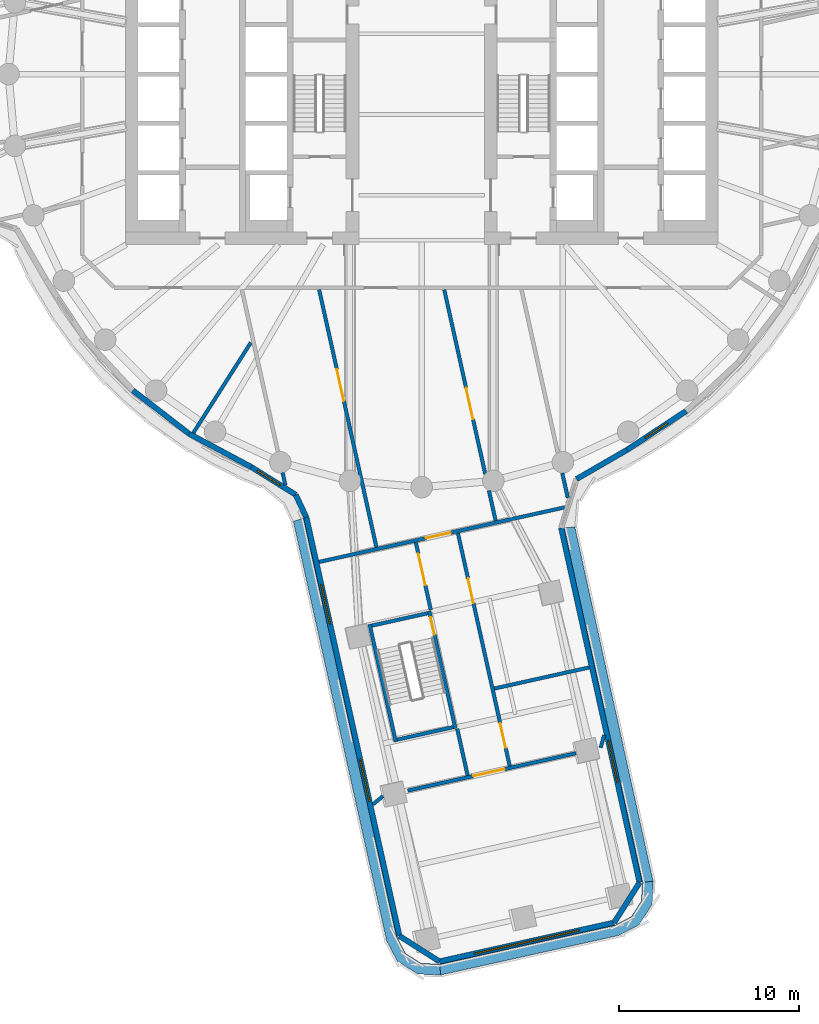
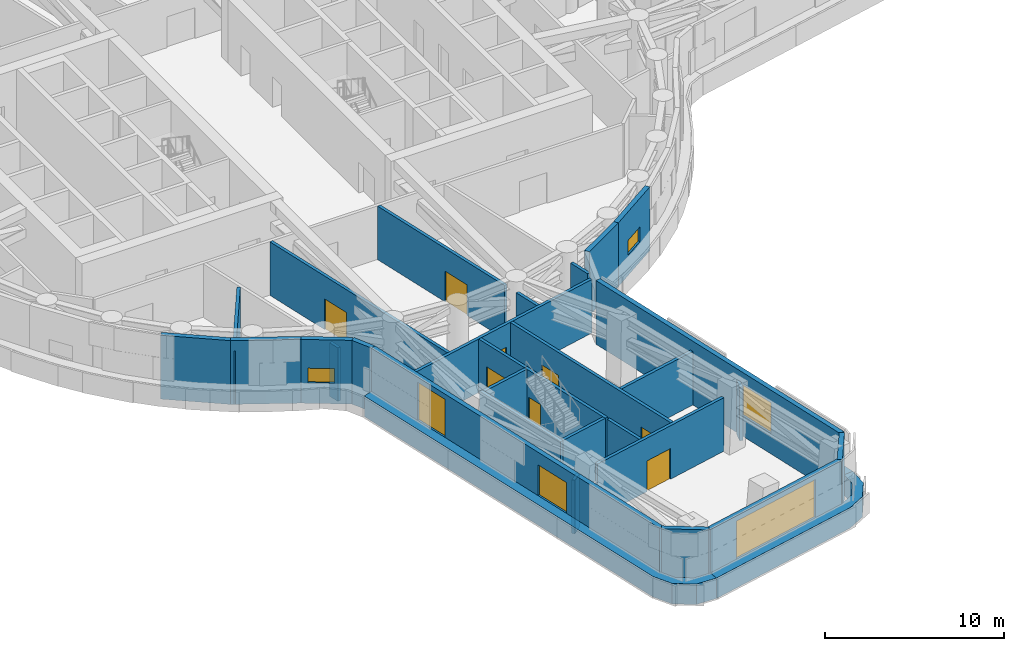
# One storey, part 7 of 22: 29 walls, 8 doors, 6 windows, 3 members, 14 openings.
"""IFC4 building model written with IfcOpenShell, lengths in metres."""

from ifc_helpers import new_model, si_unit, direction, frame, frame_2d, origin, place, context, subcontext, project, spatial, polyline, rectangle, outline, extrude, material, layer, layer_set, type_object, element, fill, aggregate, save


model = new_model("IFC4")

# Units and contexts
model_context = context("Model", 3, precision=1e-05, world=origin(), true_north=direction((0.0, 1.0)))
body_context = subcontext(model_context, "Body", "Model", "MODEL_VIEW")
ifc_project = project(units=[si_unit("LENGTHUNIT", "METRE"), si_unit("AREAUNIT", "SQUARE_METRE"), si_unit("VOLUMEUNIT", "CUBIC_METRE"), si_unit("PLANEANGLEUNIT", "RADIAN"), si_unit("MASSUNIT", "GRAM", prefix="KILO")], contexts=[model_context])

# Member
ifc_material_1 = material(Name="Aluminium and insulated spandrel panel", Category="aluminium")
member_type = type_object("IfcMemberType", Name="Floor-edge blade transom", PredefinedType="USERDEFINED", material=ifc_material_1)
site_placement = place(None, origin())
building_placement = place(site_placement, origin())
storey_placement = place(building_placement, frame((0.0, 0.0, 79.0)))
member_1_placement = place(storey_placement, origin())
member_1 = element("IfcMember", 1, at=member_1_placement, type_object=member_type, Name="CWT-L18-03", ObjectType="TRANSOM", PredefinedType="USERDEFINED", context=body_context, shape_type="SweptSolid", body=[
    extrude(outline(polyline([(-6.567626953125, -24.71337890625), (-1.38037109375, -48.038818359375), (-0.90185546875, -48.956787109375), (-0.0283203125, -49.512451171875), (1.006103515625, -49.556884765625), (1.05908203125, -50.15966796875), (-0.214599609375, -50.10498046875), (-1.359375, -49.376708984375), (-1.948974609375, -48.24609375), (-7.138671875, -24.9091796875), (-6.567626953125, -24.71337890625)])), origin(), (0.0, 0.0, 1.0), 1.39990234375),
])

member_2_placement = place(storey_placement, origin())
member_2 = element("IfcMember", 2, at=member_2_placement, type_object=member_type, Name="CWT-L18-04", ObjectType="TRANSOM", PredefinedType="USERDEFINED", context=body_context, shape_type="SweptSolid", body=[
    extrude(outline(polyline([(1.006103515625, -49.556884765625), (10.767578125, -47.385986328125), (11.685546875, -46.907470703125), (12.2412109375, -46.033935546875), (12.28564453125, -44.99951171875), (12.888671875, -44.94677734375), (12.833740234375, -46.22021484375), (12.10546875, -47.365234375), (10.974853515625, -47.95458984375), (1.05908203125, -50.15966796875), (1.006103515625, -49.556884765625)])), origin(), (0.0, 0.0, 1.0), 1.39990234375),
])

member_3_placement = place(storey_placement, origin())
member_3 = element("IfcMember", 3, at=member_3_placement, type_object=member_type, Name="CWT-L18-05", ObjectType="TRANSOM", PredefinedType="USERDEFINED", context=body_context, shape_type="SweptSolid", body=[
    extrude(outline(polyline([(12.28564453125, -44.99951171875), (7.92236328125, -25.2578125), (8.527587890625, -25.21630859375), (12.888671875, -44.94677734375), (12.28564453125, -44.99951171875)])), origin(), (0.0, 0.0, 1.0), 1.39990234375),
])

# Site, building, storey
site = spatial("IfcSite", under=ifc_project, at=site_placement, CompositionType="ELEMENT")
building = spatial("IfcBuilding", under=site, at=building_placement, Name="Tamarind Cross Interchange Tower", CompositionType="ELEMENT")
storey = spatial("IfcBuildingStorey", under=building, at=storey_placement, Name="L18", CompositionType="ELEMENT", Elevation=79.0)

# Wall
ifc_material_2 = material(Name="Gypsum board partition on steel studs", Category="steel")
ifc_layer_1 = layer(ifc_material_2, 0.199951171875)
ifc_layer_set_1 = layer_set([ifc_layer_1], Name="Gypsum board partition on steel studs")
wall_type_1 = type_object("IfcWallType", Name="Partition 200 mm EI 180", PredefinedType="PARTITIONING", material=ifc_layer_set_1)
wall_1_placement = place(storey_placement, frame((-7.7421875, -22.189697265625, 0.0), z_axis=(0.0, 0.0, 1.0), x_axis=(0.217367436886, -0.97608985108, 0.0)))
element("IfcWall", 4, at=wall_1_placement, inside=storey, type_object=wall_type_1, Name="Partition L18-005", PredefinedType="PARTITIONING", context=body_context, shape_type="SweptSolid", body=[
    extrude(rectangle(XDim=0.7099609375, YDim=0.199951171875, at=frame_2d((0.35498046875, 0.0))), origin(), (0.0, 0.0, 1.0), 3.659912109375),
])

# Wall, opening, door
wall_2_placement = place(storey_placement, frame((-5.706298828125, -12.00244140625, 0.0), z_axis=(0.0, 0.0, 1.0), x_axis=(0.217090507768, -0.97615147976, 0.0)))
wall_2 = element("IfcWall", 5, at=wall_2_placement, inside=storey, type_object=wall_type_1, Name="Partition L18-009", PredefinedType="PARTITIONING", context=body_context, shape_type="SweptSolid", body=[
    extrude(rectangle(XDim=14.697509765625, YDim=0.199951171875, at=frame_2d((7.3486328125, 0.0))), origin(), (0.0, 0.0, 1.0), 3.659912109375),
])
opening_1_placement = place(wall_2_placement, frame((4.544921875, 0.0, 0.0)))
opening_1 = element("IfcOpeningElement", 6, at=opening_1_placement, cuts=wall_2, Name="Opening D03", PredefinedType="OPENING", context=body_context, shape_type="SweptSolid", body=[
    extrude(rectangle(XDim=1.800048828125, YDim=2.10009765625, at=frame_2d((0.89990234375, 1.050048828125))), frame((0.0, 0.10986328125, 0.0), z_axis=(0.0, -1.0, 0.0), x_axis=(1.0, 0.0, 0.0)), (0.0, 0.0, 1.0), 0.219970703125),
])
ifc_material_3 = material(Name="Fire-resisting door set")
door_type_1 = type_object("IfcDoorType", Name="Interior door 1800 x 2100 FD120S", OperationType="DOUBLE_DOOR_SINGLE_SWING", PredefinedType="DOOR", material=ifc_material_3)
door_1_placement = place(opening_1_placement, frame((1.800048828125, 0.0, 0.0), z_axis=(0.0, 0.0, 1.0), x_axis=(-1.0, 0.0, 0.0)))
door_1 = element("IfcDoor", 7, at=door_1_placement, inside=storey, type_object=door_type_1, Name="Door D03", OperationType="DOUBLE_DOOR_SINGLE_SWING", OverallHeight=2.10009765625, OverallWidth=1.800048828125, PredefinedType="DOOR", context=body_context, shape_type="SweptSolid", body=[
    extrude(rectangle(XDim=1.800048828125, YDim=2.10009765625, at=frame_2d((0.89990234375, 1.050048828125))), frame((0.0, 0.02490234375, 0.0), z_axis=(0.0, -1.0, 0.0), x_axis=(1.0, 0.0, 0.0)), (0.0, 0.0, 1.0), 0.050048828125),
])
fill(opening_1, door_1)

wall_3_placement = place(storey_placement, frame((-0.32421875, -26.067626953125, 0.0), z_axis=(0.0, 0.0, 1.0), x_axis=(0.216997443313, -0.976172172107, 0.0)))
wall_3 = element("IfcWall", 8, at=wall_3_placement, inside=storey, type_object=wall_type_1, Name="Partition L18-015", PredefinedType="PARTITIONING", context=body_context, shape_type="SweptSolid", body=[
    extrude(rectangle(XDim=3.859130859375, YDim=0.199951171875, at=frame_2d((1.9296875, 0.0))), origin(), (0.0, 0.0, 1.0), 3.659912109375),
])
opening_2_placement = place(wall_3_placement, frame((0.64990234375, 0.0, 0.0)))
opening_2 = element("IfcOpeningElement", 9, at=opening_2_placement, cuts=wall_3, Name="Opening D11", PredefinedType="OPENING", context=body_context, shape_type="SweptSolid", body=[
    extrude(rectangle(XDim=1.800048828125, YDim=2.10009765625, at=frame_2d((0.89990234375, 1.050048828125))), frame((0.0, 0.10986328125, 0.0), z_axis=(0.0, -1.0, 0.0), x_axis=(1.0, 0.0, 0.0)), (0.0, 0.0, 1.0), 0.219970703125),
])
door_2_placement = place(opening_2_placement, frame((1.800048828125, 0.0, 0.0), z_axis=(0.0, 0.0, 1.0), x_axis=(-1.0, 0.0, 0.0)))
door_2 = element("IfcDoor", 10, at=door_2_placement, inside=storey, type_object=door_type_1, Name="Door D11", OperationType="DOUBLE_DOOR_SINGLE_SWING", OverallHeight=2.10009765625, OverallWidth=1.800048828125, PredefinedType="DOOR", context=body_context, shape_type="SweptSolid", body=[
    extrude(rectangle(XDim=1.800048828125, YDim=2.10009765625, at=frame_2d((0.89990234375, 1.050048828125))), frame((0.0, 0.02490234375, 0.0), z_axis=(0.0, -1.0, 0.0), x_axis=(1.0, 0.0, 0.0)), (0.0, 0.0, 1.0), 0.050048828125),
])
fill(opening_2, door_2)

# Wall
wall_4_placement = place(storey_placement, frame((1.984619140625, -36.45361328125, 0.0), z_axis=(0.0, 0.0, 1.0), x_axis=(0.216949891925, -0.976182741291, 0.0)))
element("IfcWall", 11, at=wall_4_placement, inside=storey, type_object=wall_type_1, Name="Partition L18-016", PredefinedType="PARTITIONING", context=body_context, shape_type="SweptSolid", body=[
    extrude(rectangle(XDim=2.660400390625, YDim=0.199951171875, at=frame_2d((1.330078125, 0.0))), origin(), (0.0, 0.0, 1.0), 3.659912109375),
])

# Wall, opening, door
wall_5_placement = place(storey_placement, frame((1.259765625, -12.00244140625, 0.0), z_axis=(0.0, 0.0, 1.0), x_axis=(0.217102515266, -0.976148809283, 0.0)))
wall_5 = element("IfcWall", 12, at=wall_5_placement, inside=storey, type_object=wall_type_1, Name="Partition L18-017", PredefinedType="PARTITIONING", context=body_context, shape_type="SweptSolid", body=[
    extrude(rectangle(XDim=10.5166015625, YDim=0.199951171875, at=frame_2d((5.25830078125, 0.0))), origin(), (0.0, 0.0, 1.0), 3.659912109375),
])
opening_3_placement = place(wall_5_placement, frame((5.594970703125, 0.0, 0.0)))
opening_3 = element("IfcOpeningElement", 13, at=opening_3_placement, cuts=wall_5, Name="Opening D12", PredefinedType="OPENING", context=body_context, shape_type="SweptSolid", body=[
    extrude(rectangle(XDim=1.800048828125, YDim=2.10009765625, at=frame_2d((0.89990234375, 1.050048828125))), frame((0.0, 0.10986328125, 0.0), z_axis=(0.0, -1.0, 0.0), x_axis=(1.0, 0.0, 0.0)), (0.0, 0.0, 1.0), 0.219970703125),
])
door_3_placement = place(opening_3_placement, origin())
door_3 = element("IfcDoor", 14, at=door_3_placement, inside=storey, type_object=door_type_1, Name="Door D12", OperationType="DOUBLE_DOOR_SINGLE_SWING", OverallHeight=2.10009765625, OverallWidth=1.800048828125, PredefinedType="DOOR", context=body_context, shape_type="SweptSolid", body=[
    extrude(rectangle(XDim=1.800048828125, YDim=2.10009765625, at=frame_2d((0.89990234375, 1.050048828125))), frame((0.0, 0.02490234375, 0.0), z_axis=(0.0, -1.0, 0.0), x_axis=(1.0, 0.0, 0.0)), (0.0, 0.0, 1.0), 0.050048828125),
])
fill(opening_3, door_3)

# Wall
wall_6_placement = place(storey_placement, frame((3.7490234375, -23.195068359375, 0.0), z_axis=(0.0, 0.0, 1.0), x_axis=(0.217125919423, -0.976143603736, 0.0)))
element("IfcWall", 15, at=wall_6_placement, inside=storey, type_object=wall_type_1, Name="Partition L18-018", PredefinedType="PARTITIONING", context=body_context, shape_type="SweptSolid", body=[
    extrude(rectangle(XDim=1.71923828125, YDim=0.199951171875, at=frame_2d((0.859619140625, 0.0))), origin(), (0.0, 0.0, 1.0), 3.659912109375),
])

# Wall, openings, doors
wall_7_placement = place(storey_placement, frame((2.018798828125, -25.551513671875, 0.0), z_axis=(0.0, 0.0, 1.0), x_axis=(0.217111280245, -0.976146859848, 0.0)))
wall_7 = element("IfcWall", 16, at=wall_7_placement, inside=storey, type_object=wall_type_1, Name="Partition L18-019", PredefinedType="PARTITIONING", context=body_context, shape_type="SweptSolid", body=[
    extrude(rectangle(XDim=13.294921875, YDim=0.199951171875, at=frame_2d((6.6474609375, 0.0))), origin(), (0.0, 0.0, 1.0), 3.659912109375),
])
opening_4_placement = place(wall_7_placement, frame((2.594970703125, 0.0, 0.0)))
opening_4 = element("IfcOpeningElement", 17, at=opening_4_placement, cuts=wall_7, Name="Opening D13", PredefinedType="OPENING", context=body_context, shape_type="SweptSolid", body=[
    extrude(rectangle(XDim=1.39990234375, YDim=2.10009765625, at=frame_2d((0.699951171875, 1.050048828125))), frame((0.0, 0.10986328125, 0.0), z_axis=(0.0, -1.0, 0.0), x_axis=(1.0, 0.0, 0.0)), (0.0, 0.0, 1.0), 0.219970703125),
])
opening_5_placement = place(wall_7_placement, frame((10.8447265625, 0.0, 0.0)))
opening_5 = element("IfcOpeningElement", 18, at=opening_5_placement, cuts=wall_7, Name="Opening D14", PredefinedType="OPENING", context=body_context, shape_type="SweptSolid", body=[
    extrude(rectangle(XDim=1.39990234375, YDim=2.10009765625, at=frame_2d((0.699951171875, 1.050048828125))), frame((0.0, 0.10986328125, 0.0), z_axis=(0.0, -1.0, 0.0), x_axis=(1.0, 0.0, 0.0)), (0.0, 0.0, 1.0), 0.219970703125),
])
door_type_2 = type_object("IfcDoorType", Name="Interior door 1400 x 2100 FD120S", OperationType="DOUBLE_DOOR_SINGLE_SWING", PredefinedType="DOOR", material=ifc_material_3)
door_4_placement = place(opening_4_placement, origin())
door_4 = element("IfcDoor", 19, at=door_4_placement, inside=storey, type_object=door_type_2, Name="Door D13", OperationType="DOUBLE_DOOR_SINGLE_SWING", OverallHeight=2.10009765625, OverallWidth=1.39990234375, PredefinedType="DOOR", context=body_context, shape_type="SweptSolid", body=[
    extrude(rectangle(XDim=1.39990234375, YDim=2.10009765625, at=frame_2d((0.699951171875, 1.050048828125))), frame((0.0, 0.02490234375, 0.0), z_axis=(0.0, -1.0, 0.0), x_axis=(1.0, 0.0, 0.0)), (0.0, 0.0, 1.0), 0.050048828125),
])
fill(opening_4, door_4)
door_5_placement = place(opening_5_placement, origin())
door_5 = element("IfcDoor", 20, at=door_5_placement, inside=storey, type_object=door_type_2, Name="Door D14", OperationType="DOUBLE_DOOR_SINGLE_SWING", OverallHeight=2.10009765625, OverallWidth=1.39990234375, PredefinedType="DOOR", context=body_context, shape_type="SweptSolid", body=[
    extrude(rectangle(XDim=1.39990234375, YDim=2.10009765625, at=frame_2d((0.699951171875, 1.050048828125))), frame((0.0, 0.02490234375, 0.0), z_axis=(0.0, -1.0, 0.0), x_axis=(1.0, 0.0, 0.0)), (0.0, 0.0, 1.0), 0.050048828125),
])
fill(opening_5, door_5)

# Wall
wall_8_placement = place(storey_placement, frame((7.833251953125, -22.214111328125, 0.0), z_axis=(0.0, 0.0, 1.0), x_axis=(0.21709529859, -0.976150414296, 0.0)))
element("IfcWall", 21, at=wall_8_placement, inside=storey, type_object=wall_type_1, Name="Partition L18-024", PredefinedType="PARTITIONING", context=body_context, shape_type="SweptSolid", body=[
    extrude(rectangle(XDim=1.411376953125, YDim=0.199951171875, at=frame_2d((0.70556640625, 0.0))), origin(), (0.0, 0.0, 1.0), 3.659912109375),
])

# Wall, opening, door
wall_9_placement = place(storey_placement, frame((-5.71435546875, -27.163818359375, 0.0), z_axis=(0.0, 0.0, 1.0), x_axis=(0.976153455293, 0.217081624554, 0.0)))
wall_9 = element("IfcWall", 22, at=wall_9_placement, inside=storey, type_object=wall_type_1, Name="Partition L18-052", PredefinedType="PARTITIONING", context=body_context, shape_type="SweptSolid", body=[
    extrude(rectangle(XDim=14.022216796875, YDim=0.199951171875, at=frame_2d((7.01123046875, 0.0))), origin(), (0.0, 0.0, 1.0), 3.659912109375),
])
opening_6_placement = place(wall_9_placement, frame((6.099365234375, 0.0, 0.0)))
opening_6 = element("IfcOpeningElement", 23, at=opening_6_placement, cuts=wall_9, Name="Opening D31", PredefinedType="OPENING", context=body_context, shape_type="SweptSolid", body=[
    extrude(rectangle(XDim=1.39990234375, YDim=2.10009765625, at=frame_2d((0.699951171875, 1.050048828125))), frame((0.0, 0.10986328125, 0.0), z_axis=(0.0, -1.0, 0.0), x_axis=(1.0, 0.0, 0.0)), (0.0, 0.0, 1.0), 0.219970703125),
])
door_6_placement = place(opening_6_placement, origin())
door_6 = element("IfcDoor", 24, at=door_6_placement, inside=storey, type_object=door_type_2, Name="Door D31", OperationType="DOUBLE_DOOR_SINGLE_SWING", OverallHeight=2.10009765625, OverallWidth=1.39990234375, PredefinedType="DOOR", context=body_context, shape_type="SweptSolid", body=[
    extrude(rectangle(XDim=1.39990234375, YDim=2.10009765625, at=frame_2d((0.699951171875, 1.050048828125))), frame((0.0, 0.02490234375, 0.0), z_axis=(0.0, -1.0, 0.0), x_axis=(1.0, 0.0, 0.0)), (0.0, 0.0, 1.0), 0.050048828125),
])
fill(opening_6, door_6)

# Wall
wall_10_placement = place(storey_placement, frame((-2.712890625, -40.66015625, 0.0), z_axis=(0.0, 0.0, 1.0), x_axis=(0.774735088661, 0.632285965681, 0.0)))
element("IfcWall", 25, at=wall_10_placement, inside=storey, type_object=wall_type_1, Name="Partition L18-055", PredefinedType="PARTITIONING", context=body_context, shape_type="SweptSolid", body=[
    extrude(rectangle(XDim=0.726806640625, YDim=0.199951171875, at=frame_2d((0.36328125, 0.0))), origin(), (0.0, 0.0, 1.0), 3.659912109375),
])

# Wall, opening, door
wall_11_placement = place(storey_placement, frame((-0.77197265625, -39.894287109375, 0.0), z_axis=(0.0, 0.0, 1.0), x_axis=(0.976157105898, 0.217065208185, 0.0)))
wall_11 = element("IfcWall", 26, at=wall_11_placement, inside=storey, type_object=wall_type_1, Name="Partition L18-056", PredefinedType="PARTITIONING", context=body_context, shape_type="SweptSolid", body=[
    extrude(rectangle(XDim=9.591796875, YDim=0.199951171875, at=frame_2d((4.7958984375, 0.0))), origin(), (0.0, 0.0, 1.0), 3.659912109375),
])
opening_7_placement = place(wall_11_placement, frame((3.738037109375, 0.0, 0.0)))
opening_7 = element("IfcOpeningElement", 27, at=opening_7_placement, cuts=wall_11, Name="Opening D32", PredefinedType="OPENING", context=body_context, shape_type="SweptSolid", body=[
    extrude(rectangle(XDim=1.800048828125, YDim=2.10009765625, at=frame_2d((0.89990234375, 1.050048828125))), frame((0.0, 0.10986328125, 0.0), z_axis=(0.0, -1.0, 0.0), x_axis=(1.0, 0.0, 0.0)), (0.0, 0.0, 1.0), 0.219970703125),
])
door_7_placement = place(opening_7_placement, frame((1.800048828125, 0.0, 0.0), z_axis=(0.0, 0.0, 1.0), x_axis=(-1.0, 0.0, 0.0)))
door_7 = element("IfcDoor", 28, at=door_7_placement, inside=storey, type_object=door_type_1, Name="Door D32", OperationType="DOUBLE_DOOR_SINGLE_SWING", OverallHeight=2.10009765625, OverallWidth=1.800048828125, PredefinedType="DOOR", context=body_context, shape_type="SweptSolid", body=[
    extrude(rectangle(XDim=1.800048828125, YDim=2.10009765625, at=frame_2d((0.89990234375, 1.050048828125))), frame((0.0, 0.02490234375, 0.0), z_axis=(0.0, -1.0, 0.0), x_axis=(1.0, 0.0, 0.0)), (0.0, 0.0, 1.0), 0.050048828125),
])
fill(opening_7, door_7)

# Walls
wall_12_placement = place(storey_placement, frame((9.968994140625, -37.505859375, 0.0), z_axis=(0.0, 0.0, 1.0), x_axis=(0.270338106044, 0.96276544829, 0.0)))
element("IfcWall", 29, at=wall_12_placement, inside=storey, type_object=wall_type_1, Name="Partition L18-057", PredefinedType="PARTITIONING", context=body_context, shape_type="SweptSolid", body=[
    extrude(rectangle(XDim=0.728759765625, YDim=0.199951171875, at=frame_2d((0.3642578125, 0.0))), origin(), (0.0, 0.0, 1.0), 3.659912109375),
])
wall_13_placement = place(storey_placement, frame((4.047607421875, -34.21240234375, 0.0), z_axis=(0.0, 0.0, 1.0), x_axis=(0.976161593011, 0.217045028348, 0.0)))
element("IfcWall", 30, at=wall_13_placement, inside=storey, type_object=wall_type_1, Name="Partition L18-059", PredefinedType="PARTITIONING", context=body_context, shape_type="SweptSolid", body=[
    extrude(rectangle(XDim=5.4150390625, YDim=0.199951171875, at=frame_2d((2.70751953125, 0.0))), origin(), (0.0, 0.0, 1.0), 3.659912109375),
])
wall_14_placement = place(storey_placement, frame((-12.87158203125, -20.2333984375, 0.0), z_axis=(0.0, 0.0, 1.0), x_axis=(0.536749284021, 0.843741788762, 0.0)))
element("IfcWall", 31, at=wall_14_placement, inside=storey, type_object=wall_type_1, Name="Partition L18-071", PredefinedType="PARTITIONING", context=body_context, shape_type="SweptSolid", body=[
    extrude(rectangle(XDim=6.2587890625, YDim=0.199951171875, at=frame_2d((3.12939453125, 0.0))), origin(), (0.0, 0.0, 1.0), 3.659912109375),
])
ifc_material_4 = material(Name="Precast concrete C40", Category="concrete")
ifc_layer_2 = layer(ifc_material_4, 0.300048828125)
ifc_layer_set_2 = layer_set([ifc_layer_2], Name="Precast concrete C40")
wall_type_2 = type_object("IfcWallType", Name="Plant louvre wall", PredefinedType="SOLIDWALL", material=ifc_layer_set_2)
wall_15_placement = place(storey_placement, frame((-16.07470703125, -17.61328125, 0.0), z_axis=(0.0, 0.0, 1.0), x_axis=(0.79179596038, -0.610785688376, 0.0)))
element("IfcWall", 32, at=wall_15_placement, inside=storey, type_object=wall_type_2, Name="EXW-L18-02-04", PredefinedType="SOLIDWALL", context=body_context, shape_type="SweptSolid", body=[
    extrude(rectangle(XDim=3.9384765625, YDim=0.300048828125, at=frame_2d((1.96923828125, 0.0))), origin(), (0.0, 0.0, 1.0), 4.360107421875),
])
wall_16_placement = place(storey_placement, frame((-12.956298828125, -20.018798828125, 0.0), z_axis=(0.0, 0.0, 1.0), x_axis=(0.881521417359, -0.472144036007, 0.0)))
element("IfcWall", 33, at=wall_16_placement, inside=storey, type_object=wall_type_2, Name="EXW-L18-02-05", PredefinedType="SOLIDWALL", context=body_context, shape_type="SweptSolid", body=[
    extrude(rectangle(XDim=3.940185546875, YDim=0.300048828125, at=frame_2d((1.97021484375, 0.0))), origin(), (0.0, 0.0, 1.0), 4.360107421875),
])

# Wall, opening, window
wall_17_placement = place(storey_placement, frame((-9.48291015625, -21.879150390625, 0.0), z_axis=(0.0, 0.0, 1.0), x_axis=(0.848648189987, -0.528957701174, 0.0)))
wall_17 = element("IfcWall", 34, at=wall_17_placement, inside=storey, type_object=wall_type_2, Name="EXW-L18-02-06", PredefinedType="SOLIDWALL", context=body_context, shape_type="SweptSolid", body=[
    extrude(rectangle(XDim=2.90966796875, YDim=0.300048828125, at=frame_2d((1.454833984375, 0.0))), origin(), (0.0, 0.0, 1.0), 4.360107421875),
])
opening_8_placement = place(wall_17_placement, frame((0.389892578125, 0.0, 1.39990234375)))
opening_8 = element("IfcOpeningElement", 35, at=opening_8_placement, cuts=wall_17, Name="Opening W5", PredefinedType="OPENING", context=body_context, shape_type="SweptSolid", body=[
    extrude(rectangle(XDim=1.5, YDim=1.0, at=frame_2d((0.75, 0.5))), frame((0.0, 0.159912109375, 0.0), z_axis=(0.0, -1.0, 0.0), x_axis=(1.0, 0.0, 0.0)), (0.0, 0.0, 1.0), 0.320068359375),
])
ifc_material_5 = material(Name="Aluminium and fire-resisting glass", Category="aluminium")
window_type_1 = type_object("IfcWindowType", Name="Refuge opening window", PartitioningType="DOUBLE_PANEL_VERTICAL", PredefinedType="WINDOW", material=ifc_material_5)
window_1_placement = place(opening_8_placement, origin())
window_1 = element("IfcWindow", 36, at=window_1_placement, inside=storey, type_object=window_type_1, Name="RSW-L18-02-12", OverallHeight=1.0, OverallWidth=1.5, PartitioningType="SINGLE_PANEL", PredefinedType="WINDOW", context=body_context, shape_type="SweptSolid", body=[
    extrude(rectangle(XDim=1.5, YDim=1.0, at=frame_2d((0.75, 0.5))), frame((0.0, 0.030029296875, 0.0), z_axis=(0.0, -1.0, 0.0), x_axis=(1.0, 0.0, 0.0)), (0.0, 0.0, 1.0), 0.06005859375),
])
fill(opening_8, window_1)

# Wall
wall_18_placement = place(storey_placement, frame((-7.013671875, -23.418212890625, 0.0), z_axis=(0.0, 0.0, 1.0), x_axis=(0.427195365071, -0.904159344398, 0.0)))
element("IfcWall", 37, at=wall_18_placement, inside=storey, type_object=wall_type_2, Name="EXW-L18-02-07", PredefinedType="SOLIDWALL", context=body_context, shape_type="SweptSolid", body=[
    extrude(rectangle(XDim=1.37841796875, YDim=0.300048828125, at=frame_2d((0.689208984375, 0.0))), origin(), (0.0, 0.0, 1.0), 4.360107421875),
])

# Wall, openings, windows
wall_19_placement = place(storey_placement, frame((-6.4248046875, -24.66455078125, 0.0), z_axis=(0.0, 0.0, 1.0), x_axis=(0.217081929523, -0.976153387473, 0.0)))
wall_19 = element("IfcWall", 38, at=wall_19_placement, inside=storey, type_object=wall_type_2, Name="EXW-L18-03-00", PredefinedType="SOLIDWALL", context=body_context, shape_type="SweptSolid", body=[
    extrude(rectangle(XDim=23.89208984375, YDim=0.300048828125, at=frame_2d((11.946044921875, 0.0))), origin(), (0.0, 0.0, 1.0), 4.360107421875),
])
opening_9_placement = place(wall_19_placement, frame((3.843994140625, 0.0, 1.39990234375)))
opening_9 = element("IfcOpeningElement", 39, at=opening_9_placement, cuts=wall_19, Name="Opening W2", PredefinedType="OPENING", context=body_context, shape_type="SweptSolid", body=[
    extrude(rectangle(XDim=2.261474609375, YDim=2.60009765625, at=frame_2d((1.130859375, 1.300048828125))), frame((0.0, 0.159912109375, 0.0), z_axis=(0.0, -1.0, 0.0), x_axis=(1.0, 0.0, 0.0)), (0.0, 0.0, 1.0), 0.320068359375),
])
opening_10_placement = place(wall_19_placement, frame((13.800048828125, 0.0, 1.39990234375)))
opening_10 = element("IfcOpeningElement", 40, at=opening_10_placement, cuts=wall_19, Name="Opening W3", PredefinedType="OPENING", context=body_context, shape_type="SweptSolid", body=[
    extrude(rectangle(XDim=2.39990234375, YDim=2.10009765625, at=frame_2d((1.199951171875, 1.050048828125))), frame((0.0, 0.159912109375, 0.0), z_axis=(0.0, -1.0, 0.0), x_axis=(1.0, 0.0, 0.0)), (0.0, 0.0, 1.0), 0.320068359375),
])
ifc_material_6 = material(Name="Aluminium louvre", Category="aluminium")
window_type_2 = type_object("IfcWindowType", Name="Plant louvre bank", PartitioningType="SINGLE_PANEL", PredefinedType="WINDOW", material=ifc_material_6)
window_2_placement = place(opening_9_placement, origin())
window_2 = element("IfcWindow", 41, at=window_2_placement, inside=storey, type_object=window_type_2, Name="WIN-L18-03-00", OverallHeight=2.60009765625, OverallWidth=2.261474609375, PartitioningType="SINGLE_PANEL", PredefinedType="WINDOW", context=body_context, shape_type="SweptSolid", body=[
    extrude(rectangle(XDim=2.261474609375, YDim=2.60009765625, at=frame_2d((1.130859375, 1.300048828125))), frame((0.0, 0.030029296875, 0.0), z_axis=(0.0, -1.0, 0.0), x_axis=(1.0, 0.0, 0.0)), (0.0, 0.0, 1.0), 0.06005859375),
])
fill(opening_9, window_2)
window_type_3 = type_object("IfcWindowType", Name="Refuge rescue window", PartitioningType="DOUBLE_PANEL_VERTICAL", PredefinedType="WINDOW", material=ifc_material_5)
window_3_placement = place(opening_10_placement, origin())
window_3 = element("IfcWindow", 42, at=window_3_placement, inside=storey, type_object=window_type_3, Name="RSW-L18-03-12", OverallHeight=2.10009765625, OverallWidth=2.39990234375, PartitioningType="SINGLE_PANEL", PredefinedType="WINDOW", context=body_context, shape_type="SweptSolid", body=[
    extrude(rectangle(XDim=2.39990234375, YDim=2.10009765625, at=frame_2d((1.199951171875, 1.050048828125))), frame((0.0, 0.030029296875, 0.0), z_axis=(0.0, -1.0, 0.0), x_axis=(1.0, 0.0, 0.0)), (0.0, 0.0, 1.0), 0.06005859375),
])
fill(opening_10, window_3)

aggregate(wall_19, [member_1])

# Wall
wall_20_placement = place(storey_placement, frame((-1.23828125, -47.98681640625, 0.0), z_axis=(0.0, 0.0, 1.0), x_axis=(0.843707106329, -0.536803799102, 0.0)))
element("IfcWall", 43, at=wall_20_placement, inside=storey, type_object=wall_type_2, Name="EXW-L18-03-01", PredefinedType="SOLIDWALL", context=body_context, shape_type="SweptSolid", body=[
    extrude(rectangle(XDim=2.644287109375, YDim=0.300048828125, at=frame_2d((1.322265625, 0.0))), origin(), (0.0, 0.0, 1.0), 4.360107421875),
])

# Wall, opening, window
wall_21_placement = place(storey_placement, frame((0.99267578125, -49.40625, 0.0), z_axis=(0.0, 0.0, 1.0), x_axis=(0.97615186769, 0.217088763424, 0.0)))
wall_21 = element("IfcWall", 44, at=wall_21_placement, inside=storey, type_object=wall_type_2, Name="EXW-L18-04-00", PredefinedType="SOLIDWALL", context=body_context, shape_type="SweptSolid", body=[
    extrude(rectangle(XDim=9.960693359375, YDim=0.300048828125, at=frame_2d((4.98046875, 0.0))), origin(), (0.0, 0.0, 1.0), 4.360107421875),
])
opening_11_placement = place(wall_21_placement, frame((1.980224609375, 0.0, 1.39990234375)))
opening_11 = element("IfcOpeningElement", 45, at=opening_11_placement, cuts=wall_21, Name="Opening W2", PredefinedType="OPENING", context=body_context, shape_type="SweptSolid", body=[
    extrude(rectangle(XDim=6.0, YDim=2.60009765625, at=frame_2d((3.0, 1.300048828125))), frame((0.0, 0.159912109375, 0.0), z_axis=(0.0, -1.0, 0.0), x_axis=(1.0, 0.0, 0.0)), (0.0, 0.0, 1.0), 0.320068359375),
])
window_4_placement = place(opening_11_placement, origin())
window_4 = element("IfcWindow", 46, at=window_4_placement, inside=storey, type_object=window_type_2, Name="WIN-L18-04-00", OverallHeight=2.60009765625, OverallWidth=6.0, PartitioningType="SINGLE_PANEL", PredefinedType="WINDOW", context=body_context, shape_type="SweptSolid", body=[
    extrude(rectangle(XDim=6.0, YDim=2.60009765625, at=frame_2d((3.0, 1.300048828125))), frame((0.0, 0.030029296875, 0.0), z_axis=(0.0, -1.0, 0.0), x_axis=(1.0, 0.0, 0.0)), (0.0, 0.0, 1.0), 0.06005859375),
])
fill(opening_11, window_4)

aggregate(wall_21, [member_2])

# Wall
wall_22_placement = place(storey_placement, frame((10.7158203125, -47.243896484375, 0.0), z_axis=(0.0, 0.0, 1.0), x_axis=(0.536696257277, 0.843775519569, 0.0)))
element("IfcWall", 47, at=wall_22_placement, inside=storey, type_object=wall_type_2, Name="EXW-L18-04-01", PredefinedType="SOLIDWALL", context=body_context, shape_type="SweptSolid", body=[
    extrude(rectangle(XDim=2.644287109375, YDim=0.300048828125, at=frame_2d((1.322265625, 0.0))), origin(), (0.0, 0.0, 1.0), 4.360107421875),
])

# Wall, opening, window
wall_23_placement = place(storey_placement, frame((12.135009765625, -45.0126953125, 0.0), z_axis=(0.0, 0.0, 1.0), x_axis=(-0.215816840295, 0.976433864348, 0.0)))
wall_23 = element("IfcWall", 48, at=wall_23_placement, inside=storey, type_object=wall_type_2, Name="EXW-L18-05-00", PredefinedType="SOLIDWALL", context=body_context, shape_type="SweptSolid", body=[
    extrude(rectangle(XDim=20.220947265625, YDim=0.300048828125, at=frame_2d((10.1103515625, 0.0))), origin(), (0.0, 0.0, 1.0), 4.360107421875),
])
opening_12_placement = place(wall_23_placement, frame((5.7099609375, 0.0, 1.39990234375)))
opening_12 = element("IfcOpeningElement", 49, at=opening_12_placement, cuts=wall_23, Name="Opening W3", PredefinedType="OPENING", context=body_context, shape_type="SweptSolid", body=[
    extrude(rectangle(XDim=2.39990234375, YDim=2.10009765625, at=frame_2d((1.199951171875, 1.050048828125))), frame((0.0, 0.159912109375, 0.0), z_axis=(0.0, -1.0, 0.0), x_axis=(1.0, 0.0, 0.0)), (0.0, 0.0, 1.0), 0.320068359375),
])
window_5_placement = place(opening_12_placement, origin())
window_5 = element("IfcWindow", 50, at=window_5_placement, inside=storey, type_object=window_type_3, Name="RSW-L18-05-11", OverallHeight=2.10009765625, OverallWidth=2.39990234375, PartitioningType="SINGLE_PANEL", PredefinedType="WINDOW", context=body_context, shape_type="SweptSolid", body=[
    extrude(rectangle(XDim=2.39990234375, YDim=2.10009765625, at=frame_2d((1.199951171875, 1.050048828125))), frame((0.0, 0.030029296875, 0.0), z_axis=(0.0, -1.0, 0.0), x_axis=(1.0, 0.0, 0.0)), (0.0, 0.0, 1.0), 0.06005859375),
])
fill(opening_12, window_5)

aggregate(wall_23, [member_3])

# Wall
wall_24_placement = place(storey_placement, frame((8.624755859375, -22.54931640625, 0.0), z_axis=(0.0, 0.0, 1.0), x_axis=(0.86583904671, 0.500322641095, 0.0)))
element("IfcWall", 51, at=wall_24_placement, inside=storey, type_object=wall_type_2, Name="EXW-L18-06-01", PredefinedType="SOLIDWALL", context=body_context, shape_type="SweptSolid", body=[
    extrude(rectangle(XDim=3.250732421875, YDim=0.300048828125, at=frame_2d((1.62548828125, 0.0))), origin(), (0.0, 0.0, 1.0), 4.360107421875),
])

# Wall, opening, window
wall_25_placement = place(storey_placement, frame((11.439453125, -20.9228515625, 0.0), z_axis=(0.0, 0.0, 1.0), x_axis=(0.834786621205, 0.550573607302, 0.0)))
wall_25 = element("IfcWall", 52, at=wall_25_placement, inside=storey, type_object=wall_type_2, Name="EXW-L18-06-02", PredefinedType="SOLIDWALL", context=body_context, shape_type="SweptSolid", body=[
    extrude(rectangle(XDim=3.9384765625, YDim=0.300048828125, at=frame_2d((1.96923828125, 0.0))), origin(), (0.0, 0.0, 1.0), 4.360107421875),
])
opening_13_placement = place(wall_25_placement, frame((1.199951171875, 0.0, 1.39990234375)))
opening_13 = element("IfcOpeningElement", 53, at=opening_13_placement, cuts=wall_25, Name="Opening W5", PredefinedType="OPENING", context=body_context, shape_type="SweptSolid", body=[
    extrude(rectangle(XDim=1.5, YDim=1.0, at=frame_2d((0.75, 0.5))), frame((0.0, 0.159912109375, 0.0), z_axis=(0.0, -1.0, 0.0), x_axis=(1.0, 0.0, 0.0)), (0.0, 0.0, 1.0), 0.320068359375),
])
window_6_placement = place(opening_13_placement, origin())
window_6 = element("IfcWindow", 54, at=window_6_placement, inside=storey, type_object=window_type_1, Name="RSW-L18-06-13", OverallHeight=1.0, OverallWidth=1.5, PartitioningType="SINGLE_PANEL", PredefinedType="WINDOW", context=body_context, shape_type="SweptSolid", body=[
    extrude(rectangle(XDim=1.5, YDim=1.0, at=frame_2d((0.75, 0.5))), frame((0.0, 0.030029296875, 0.0), z_axis=(0.0, -1.0, 0.0), x_axis=(1.0, 0.0, 0.0)), (0.0, 0.0, 1.0), 0.06005859375),
])
fill(opening_13, window_6)

# Wall, opening, door
ifc_material_7 = material(Name="Concrete C40", Category="concrete")
ifc_layer_3 = layer(ifc_material_7, 0.199951171875)
ifc_layer_set_3 = layer_set([ifc_layer_3], Name="Concrete C40")
wall_type_3 = type_object("IfcWallType", Name="Stair shaft wall 200 mm Concrete C40", PredefinedType="SHEAR", material=ifc_layer_set_3)
wall_26_placement = place(storey_placement, frame((0.42431640625, -29.896240234375, -0.179931640625), z_axis=(0.0, 0.0, 1.0), x_axis=(0.217073214646, -0.97615532549, 0.0)))
wall_26 = element("IfcWall", 55, at=wall_26_placement, inside=storey, type_object=wall_type_3, Name="Core wall CWL-L18-ST6-H", PredefinedType="SHEAR", context=body_context, shape_type="SweptSolid", body=[
    extrude(rectangle(XDim=6.69970703125, YDim=0.199951171875, at=frame_2d((3.349853515625, 0.0))), origin(), (0.0, 0.0, 1.0), 3.93994140625),
])
opening_14_placement = place(wall_26_placement, frame((0.35009765625, 0.0, 0.0)))
opening_14 = element("IfcOpeningElement", 56, at=opening_14_placement, cuts=wall_26, Name="Opening ST6L18", PredefinedType="OPENING", context=body_context, shape_type="SweptSolid", body=[
    extrude(rectangle(XDim=1.0, YDim=2.10009765625, at=frame_2d((0.5, 1.050048828125))), frame((0.0, 0.10986328125, 0.0), z_axis=(0.0, -1.0, 0.0), x_axis=(1.0, 0.0, 0.0)), (0.0, 0.0, 1.0), 0.219970703125),
])
ifc_material_8 = material(Name="Steel, fire-resisting", Category="steel")
door_type_3 = type_object("IfcDoorType", Name="Core fire door 1000 x 2100 FD90", OperationType="SINGLE_SWING_LEFT", PredefinedType="DOOR", material=ifc_material_8)
door_8_placement = place(opening_14_placement, origin())
door_8 = element("IfcDoor", 57, at=door_8_placement, inside=storey, type_object=door_type_3, Name="L18 stair door ST6", OperationType="SINGLE_SWING_LEFT", OverallHeight=2.10009765625, OverallWidth=1.0, PredefinedType="DOOR", context=body_context, shape_type="SweptSolid", body=[
    extrude(rectangle(XDim=1.0, YDim=2.10009765625, at=frame_2d((0.5, 1.050048828125))), frame((0.0, 0.02490234375, 0.0), z_axis=(0.0, -1.0, 0.0), x_axis=(1.0, 0.0, 0.0)), (0.0, 0.0, 1.0), 0.050048828125),
])
fill(opening_14, door_8)

# Walls
wall_27_placement = place(storey_placement, frame((-2.894775390625, -30.63427734375, -0.179931640625), z_axis=(0.0, 0.0, 1.0), x_axis=(0.217100214792, -0.976149320922, 0.0)))
element("IfcWall", 58, at=wall_27_placement, inside=storey, type_object=wall_type_3, Name="Core wall CWL-L18-ST6-C", PredefinedType="SHEAR", context=body_context, shape_type="SweptSolid", body=[
    extrude(rectangle(XDim=6.7001953125, YDim=0.199951171875, at=frame_2d((3.35009765625, 0.0))), origin(), (0.0, 0.0, 1.0), 3.93994140625),
])
wall_28_placement = place(storey_placement, frame((-2.775390625, -30.710205078125, -0.179931640625), z_axis=(0.0, 0.0, 1.0), x_axis=(0.976143958929, 0.217124322557, 0.0)))
element("IfcWall", 59, at=wall_28_placement, inside=storey, type_object=wall_type_3, Name="Core wall CWL-L18-ST6-CE", PredefinedType="SHEAR", context=body_context, shape_type="SweptSolid", body=[
    extrude(rectangle(XDim=3.2001953125, YDim=0.199951171875, at=frame_2d((1.60009765625, 0.0))), origin(), (0.0, 0.0, 1.0), 3.93994140625),
])
wall_29_placement = place(storey_placement, frame((0.0, 0.0, -0.179931640625)))
element("IfcWall", 60, at=wall_29_placement, inside=storey, type_object=wall_type_3, Name="Core wall CWL-L18-ST6-CF", PredefinedType="SHEAR", context=body_context, shape_type="SweptSolid", body=[
    extrude(outline(polyline([(-1.385986328125, -36.95751953125), (-1.342529296875, -37.15283203125), (1.781005859375, -36.4580078125), (1.737548828125, -36.262939453125), (-1.385986328125, -36.95751953125)])), origin(), (0.0, 0.0, 1.0), 3.93994140625),
])

save(model, "model.ifc")
